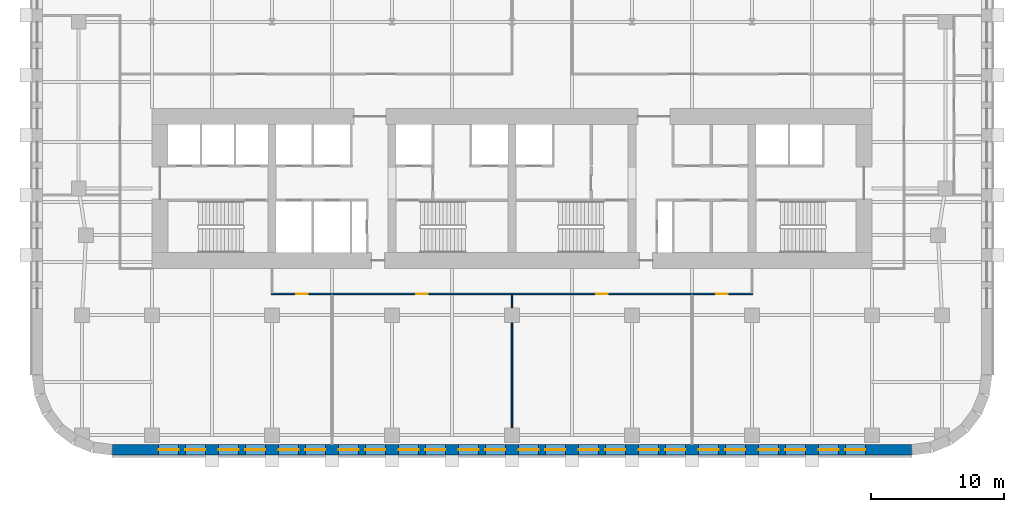
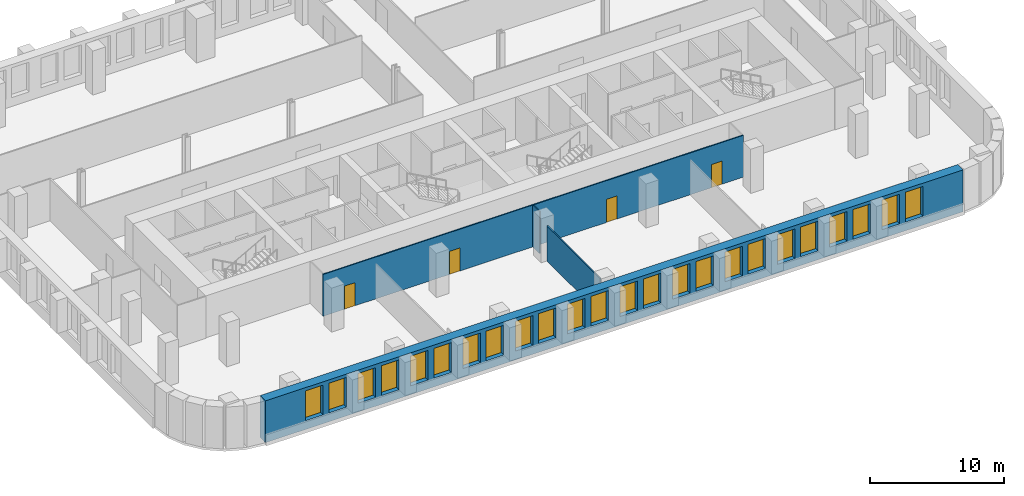
# One storey, part 5 of 11: 24 windows, 4 doors, 4 walls, 28 openings.
"""IFC4 building model written with IfcOpenShell, lengths in metres."""

from ifc_helpers import new_model, si_unit, direction, frame, frame_2d, origin, place, context, subcontext, project, spatial, rectangle, extrude, material, layer, layer_set, type_object, element, fill, save


model = new_model("IFC4")

# Units and contexts
model_context = context("Model", 3, precision=1e-05, world=origin(), true_north=direction((0.0, 1.0)))
body_context = subcontext(model_context, "Body", "Model", "MODEL_VIEW")
ifc_project = project(units=[si_unit("LENGTHUNIT", "METRE"), si_unit("AREAUNIT", "SQUARE_METRE"), si_unit("VOLUMEUNIT", "CUBIC_METRE"), si_unit("PLANEANGLEUNIT", "RADIAN"), si_unit("MASSUNIT", "GRAM", prefix="KILO")], contexts=[model_context])

# Site, building, storey
site_placement = place(None, origin())
site = spatial("IfcSite", under=ifc_project, at=site_placement, CompositionType="ELEMENT")
building_placement = place(site_placement, origin())
building = spatial("IfcBuilding", under=site, at=building_placement, Name="Zellij Exchange Tower", CompositionType="ELEMENT")
storey_placement = place(building_placement, frame((0.0, 0.0, 80.5)))
storey = spatial("IfcBuildingStorey", under=building, at=storey_placement, Name="L16", CompositionType="ELEMENT", Elevation=80.5)

# Wall, openings, windows
ifc_material_1 = material(Name="Precast concrete C40/50", Category="concrete")
ifc_layer_1 = layer(ifc_material_1, 0.800048828125)
ifc_layer_set_1 = layer_set([ifc_layer_1], Name="Precast concrete C40/50")
wall_type_1 = type_object("IfcWallType", Name="ENV-EW1 Precast stone-piered wall 800", PredefinedType="SOLIDWALL", material=ifc_layer_set_1)
wall_1_placement = place(storey_placement, frame((-29.947509765625, -27.60009765625, 0.0), z_axis=(0.0, 0.0, 1.0), x_axis=(1.0, 0.0, 0.0)))
wall_1 = element("IfcWall", 1, at=wall_1_placement, inside=storey, type_object=wall_type_1, Name="fac.L16.00", PredefinedType="SOLIDWALL", context=body_context, shape_type="SweptSolid", body=[
    extrude(rectangle(XDim=59.89501953125, YDim=0.800048828125, at=frame_2d((29.947509765625, 0.0))), origin(), (0.0, 0.0, 1.0), 3.800048828125),
])
opening_1_placement = place(wall_1_placement, frame((3.447509765625, 0.0, 0.800048828125)))
opening_1 = element("IfcOpeningElement", 2, at=opening_1_placement, cuts=wall_1, Name="Opening FZ1.01", PredefinedType="OPENING", context=body_context, shape_type="SweptSolid", body=[
    extrude(rectangle(XDim=1.5, YDim=2.699951171875, at=frame_2d((0.75, 1.35009765625))), frame((0.0, 0.412109375, 0.0), z_axis=(0.0, -1.0, 0.0), x_axis=(1.0, 0.0, 0.0)), (0.0, 0.0, 1.0), 0.823974609375),
])
opening_2_placement = place(wall_1_placement, frame((5.447509765625, 0.0, 0.800048828125)))
opening_2 = element("IfcOpeningElement", 3, at=opening_2_placement, cuts=wall_1, Name="Opening FZ1.02", PredefinedType="OPENING", context=body_context, shape_type="SweptSolid", body=[
    extrude(rectangle(XDim=1.5, YDim=2.699951171875, at=frame_2d((0.75, 1.35009765625))), frame((0.0, 0.412109375, 0.0), z_axis=(0.0, -1.0, 0.0), x_axis=(1.0, 0.0, 0.0)), (0.0, 0.0, 1.0), 0.823974609375),
])
opening_3_placement = place(wall_1_placement, frame((7.947509765625, 0.0, 0.800048828125)))
opening_3 = element("IfcOpeningElement", 4, at=opening_3_placement, cuts=wall_1, Name="Opening FZ1.03", PredefinedType="OPENING", context=body_context, shape_type="SweptSolid", body=[
    extrude(rectangle(XDim=1.5, YDim=2.699951171875, at=frame_2d((0.75, 1.35009765625))), frame((0.0, 0.412109375, 0.0), z_axis=(0.0, -1.0, 0.0), x_axis=(1.0, 0.0, 0.0)), (0.0, 0.0, 1.0), 0.823974609375),
])
opening_4_placement = place(wall_1_placement, frame((9.947509765625, 0.0, 0.800048828125)))
opening_4 = element("IfcOpeningElement", 5, at=opening_4_placement, cuts=wall_1, Name="Opening FZ1.04", PredefinedType="OPENING", context=body_context, shape_type="SweptSolid", body=[
    extrude(rectangle(XDim=1.5, YDim=2.699951171875, at=frame_2d((0.75, 1.35009765625))), frame((0.0, 0.412109375, 0.0), z_axis=(0.0, -1.0, 0.0), x_axis=(1.0, 0.0, 0.0)), (0.0, 0.0, 1.0), 0.823974609375),
])
opening_5_placement = place(wall_1_placement, frame((12.447509765625, 0.0, 0.800048828125)))
opening_5 = element("IfcOpeningElement", 6, at=opening_5_placement, cuts=wall_1, Name="Opening FZ1.05", PredefinedType="OPENING", context=body_context, shape_type="SweptSolid", body=[
    extrude(rectangle(XDim=1.5, YDim=2.699951171875, at=frame_2d((0.75, 1.35009765625))), frame((0.0, 0.412109375, 0.0), z_axis=(0.0, -1.0, 0.0), x_axis=(1.0, 0.0, 0.0)), (0.0, 0.0, 1.0), 0.823974609375),
])
opening_6_placement = place(wall_1_placement, frame((14.447509765625, 0.0, 0.800048828125)))
opening_6 = element("IfcOpeningElement", 7, at=opening_6_placement, cuts=wall_1, Name="Opening FZ1.06", PredefinedType="OPENING", context=body_context, shape_type="SweptSolid", body=[
    extrude(rectangle(XDim=1.5, YDim=2.699951171875, at=frame_2d((0.75, 1.35009765625))), frame((0.0, 0.412109375, 0.0), z_axis=(0.0, -1.0, 0.0), x_axis=(1.0, 0.0, 0.0)), (0.0, 0.0, 1.0), 0.823974609375),
])
opening_7_placement = place(wall_1_placement, frame((16.947509765625, 0.0, 0.800048828125)))
opening_7 = element("IfcOpeningElement", 8, at=opening_7_placement, cuts=wall_1, Name="Opening FZ1.07", PredefinedType="OPENING", context=body_context, shape_type="SweptSolid", body=[
    extrude(rectangle(XDim=1.5, YDim=2.699951171875, at=frame_2d((0.75, 1.35009765625))), frame((0.0, 0.412109375, 0.0), z_axis=(0.0, -1.0, 0.0), x_axis=(1.0, 0.0, 0.0)), (0.0, 0.0, 1.0), 0.823974609375),
])
opening_8_placement = place(wall_1_placement, frame((18.947509765625, 0.0, 0.800048828125)))
opening_8 = element("IfcOpeningElement", 9, at=opening_8_placement, cuts=wall_1, Name="Opening FZ1.08", PredefinedType="OPENING", context=body_context, shape_type="SweptSolid", body=[
    extrude(rectangle(XDim=1.5, YDim=2.699951171875, at=frame_2d((0.75, 1.35009765625))), frame((0.0, 0.412109375, 0.0), z_axis=(0.0, -1.0, 0.0), x_axis=(1.0, 0.0, 0.0)), (0.0, 0.0, 1.0), 0.823974609375),
])
opening_9_placement = place(wall_1_placement, frame((21.447509765625, 0.0, 0.800048828125)))
opening_9 = element("IfcOpeningElement", 10, at=opening_9_placement, cuts=wall_1, Name="Opening FZ1.09", PredefinedType="OPENING", context=body_context, shape_type="SweptSolid", body=[
    extrude(rectangle(XDim=1.5, YDim=2.699951171875, at=frame_2d((0.75, 1.35009765625))), frame((0.0, 0.412109375, 0.0), z_axis=(0.0, -1.0, 0.0), x_axis=(1.0, 0.0, 0.0)), (0.0, 0.0, 1.0), 0.823974609375),
])
opening_10_placement = place(wall_1_placement, frame((23.447509765625, 0.0, 0.800048828125)))
opening_10 = element("IfcOpeningElement", 11, at=opening_10_placement, cuts=wall_1, Name="Opening FZ1.10", PredefinedType="OPENING", context=body_context, shape_type="SweptSolid", body=[
    extrude(rectangle(XDim=1.5, YDim=2.699951171875, at=frame_2d((0.75, 1.35009765625))), frame((0.0, 0.412109375, 0.0), z_axis=(0.0, -1.0, 0.0), x_axis=(1.0, 0.0, 0.0)), (0.0, 0.0, 1.0), 0.823974609375),
])
opening_11_placement = place(wall_1_placement, frame((25.947509765625, 0.0, 0.800048828125)))
opening_11 = element("IfcOpeningElement", 12, at=opening_11_placement, cuts=wall_1, Name="Opening FZ1.11", PredefinedType="OPENING", context=body_context, shape_type="SweptSolid", body=[
    extrude(rectangle(XDim=1.5, YDim=2.699951171875, at=frame_2d((0.75, 1.35009765625))), frame((0.0, 0.412109375, 0.0), z_axis=(0.0, -1.0, 0.0), x_axis=(1.0, 0.0, 0.0)), (0.0, 0.0, 1.0), 0.823974609375),
])
opening_12_placement = place(wall_1_placement, frame((27.947509765625, 0.0, 0.800048828125)))
opening_12 = element("IfcOpeningElement", 13, at=opening_12_placement, cuts=wall_1, Name="Opening FZ1.12", PredefinedType="OPENING", context=body_context, shape_type="SweptSolid", body=[
    extrude(rectangle(XDim=1.5, YDim=2.699951171875, at=frame_2d((0.75, 1.35009765625))), frame((0.0, 0.412109375, 0.0), z_axis=(0.0, -1.0, 0.0), x_axis=(1.0, 0.0, 0.0)), (0.0, 0.0, 1.0), 0.823974609375),
])
opening_13_placement = place(wall_1_placement, frame((30.447509765625, 0.0, 0.800048828125)))
opening_13 = element("IfcOpeningElement", 14, at=opening_13_placement, cuts=wall_1, Name="Opening FZ1.13", PredefinedType="OPENING", context=body_context, shape_type="SweptSolid", body=[
    extrude(rectangle(XDim=1.5, YDim=2.699951171875, at=frame_2d((0.75, 1.35009765625))), frame((0.0, 0.412109375, 0.0), z_axis=(0.0, -1.0, 0.0), x_axis=(1.0, 0.0, 0.0)), (0.0, 0.0, 1.0), 0.823974609375),
])
opening_14_placement = place(wall_1_placement, frame((32.447509765625, 0.0, 0.800048828125)))
opening_14 = element("IfcOpeningElement", 15, at=opening_14_placement, cuts=wall_1, Name="Opening FZ1.14", PredefinedType="OPENING", context=body_context, shape_type="SweptSolid", body=[
    extrude(rectangle(XDim=1.5, YDim=2.699951171875, at=frame_2d((0.75, 1.35009765625))), frame((0.0, 0.412109375, 0.0), z_axis=(0.0, -1.0, 0.0), x_axis=(1.0, 0.0, 0.0)), (0.0, 0.0, 1.0), 0.823974609375),
])
opening_15_placement = place(wall_1_placement, frame((34.947509765625, 0.0, 0.800048828125)))
opening_15 = element("IfcOpeningElement", 16, at=opening_15_placement, cuts=wall_1, Name="Opening FZ1.15", PredefinedType="OPENING", context=body_context, shape_type="SweptSolid", body=[
    extrude(rectangle(XDim=1.5, YDim=2.699951171875, at=frame_2d((0.75, 1.35009765625))), frame((0.0, 0.412109375, 0.0), z_axis=(0.0, -1.0, 0.0), x_axis=(1.0, 0.0, 0.0)), (0.0, 0.0, 1.0), 0.823974609375),
])
opening_16_placement = place(wall_1_placement, frame((36.947509765625, 0.0, 0.800048828125)))
opening_16 = element("IfcOpeningElement", 17, at=opening_16_placement, cuts=wall_1, Name="Opening FZ1.16", PredefinedType="OPENING", context=body_context, shape_type="SweptSolid", body=[
    extrude(rectangle(XDim=1.5, YDim=2.699951171875, at=frame_2d((0.75, 1.35009765625))), frame((0.0, 0.412109375, 0.0), z_axis=(0.0, -1.0, 0.0), x_axis=(1.0, 0.0, 0.0)), (0.0, 0.0, 1.0), 0.823974609375),
])
opening_17_placement = place(wall_1_placement, frame((39.447509765625, 0.0, 0.800048828125)))
opening_17 = element("IfcOpeningElement", 18, at=opening_17_placement, cuts=wall_1, Name="Opening FZ1.17", PredefinedType="OPENING", context=body_context, shape_type="SweptSolid", body=[
    extrude(rectangle(XDim=1.5, YDim=2.699951171875, at=frame_2d((0.75, 1.35009765625))), frame((0.0, 0.412109375, 0.0), z_axis=(0.0, -1.0, 0.0), x_axis=(1.0, 0.0, 0.0)), (0.0, 0.0, 1.0), 0.823974609375),
])
opening_18_placement = place(wall_1_placement, frame((41.447509765625, 0.0, 0.800048828125)))
opening_18 = element("IfcOpeningElement", 19, at=opening_18_placement, cuts=wall_1, Name="Opening FZ1.18", PredefinedType="OPENING", context=body_context, shape_type="SweptSolid", body=[
    extrude(rectangle(XDim=1.5, YDim=2.699951171875, at=frame_2d((0.75, 1.35009765625))), frame((0.0, 0.412109375, 0.0), z_axis=(0.0, -1.0, 0.0), x_axis=(1.0, 0.0, 0.0)), (0.0, 0.0, 1.0), 0.823974609375),
])
opening_19_placement = place(wall_1_placement, frame((43.947509765625, 0.0, 0.800048828125)))
opening_19 = element("IfcOpeningElement", 20, at=opening_19_placement, cuts=wall_1, Name="Opening FZ1.19", PredefinedType="OPENING", context=body_context, shape_type="SweptSolid", body=[
    extrude(rectangle(XDim=1.5, YDim=2.699951171875, at=frame_2d((0.75, 1.35009765625))), frame((0.0, 0.412109375, 0.0), z_axis=(0.0, -1.0, 0.0), x_axis=(1.0, 0.0, 0.0)), (0.0, 0.0, 1.0), 0.823974609375),
])
opening_20_placement = place(wall_1_placement, frame((45.947509765625, 0.0, 0.800048828125)))
opening_20 = element("IfcOpeningElement", 21, at=opening_20_placement, cuts=wall_1, Name="Opening FZ1.20", PredefinedType="OPENING", context=body_context, shape_type="SweptSolid", body=[
    extrude(rectangle(XDim=1.5, YDim=2.699951171875, at=frame_2d((0.75, 1.35009765625))), frame((0.0, 0.412109375, 0.0), z_axis=(0.0, -1.0, 0.0), x_axis=(1.0, 0.0, 0.0)), (0.0, 0.0, 1.0), 0.823974609375),
])
opening_21_placement = place(wall_1_placement, frame((48.447509765625, 0.0, 0.800048828125)))
opening_21 = element("IfcOpeningElement", 22, at=opening_21_placement, cuts=wall_1, Name="Opening FZ1.21", PredefinedType="OPENING", context=body_context, shape_type="SweptSolid", body=[
    extrude(rectangle(XDim=1.5, YDim=2.699951171875, at=frame_2d((0.75, 1.35009765625))), frame((0.0, 0.412109375, 0.0), z_axis=(0.0, -1.0, 0.0), x_axis=(1.0, 0.0, 0.0)), (0.0, 0.0, 1.0), 0.823974609375),
])
opening_22_placement = place(wall_1_placement, frame((50.447509765625, 0.0, 0.800048828125)))
opening_22 = element("IfcOpeningElement", 23, at=opening_22_placement, cuts=wall_1, Name="Opening FZ1.22", PredefinedType="OPENING", context=body_context, shape_type="SweptSolid", body=[
    extrude(rectangle(XDim=1.5, YDim=2.699951171875, at=frame_2d((0.75, 1.35009765625))), frame((0.0, 0.412109375, 0.0), z_axis=(0.0, -1.0, 0.0), x_axis=(1.0, 0.0, 0.0)), (0.0, 0.0, 1.0), 0.823974609375),
])
opening_23_placement = place(wall_1_placement, frame((52.947509765625, 0.0, 0.800048828125)))
opening_23 = element("IfcOpeningElement", 24, at=opening_23_placement, cuts=wall_1, Name="Opening FZ1.23", PredefinedType="OPENING", context=body_context, shape_type="SweptSolid", body=[
    extrude(rectangle(XDim=1.5, YDim=2.699951171875, at=frame_2d((0.75, 1.35009765625))), frame((0.0, 0.412109375, 0.0), z_axis=(0.0, -1.0, 0.0), x_axis=(1.0, 0.0, 0.0)), (0.0, 0.0, 1.0), 0.823974609375),
])
opening_24_placement = place(wall_1_placement, frame((54.947509765625, 0.0, 0.800048828125)))
opening_24 = element("IfcOpeningElement", 25, at=opening_24_placement, cuts=wall_1, Name="Opening FZ1.24", PredefinedType="OPENING", context=body_context, shape_type="SweptSolid", body=[
    extrude(rectangle(XDim=1.5, YDim=2.699951171875, at=frame_2d((0.75, 1.35009765625))), frame((0.0, 0.412109375, 0.0), z_axis=(0.0, -1.0, 0.0), x_axis=(1.0, 0.0, 0.0)), (0.0, 0.0, 1.0), 0.823974609375),
])
ifc_material_2 = material(Name="Aluminium frame with insulating glass", Category="aluminium")
window_type = type_object("IfcWindowType", Name="ENV-W6 Window 1500x2700", PartitioningType="SINGLE_PANEL", PredefinedType="WINDOW", material=ifc_material_2)
window_1_placement = place(opening_1_placement, origin())
window_1 = element("IfcWindow", 26, at=window_1_placement, inside=storey, type_object=window_type, Name="Window FZ1.01", OverallHeight=2.699951171875, OverallWidth=1.5, PartitioningType="SINGLE_PANEL", PredefinedType="WINDOW", context=body_context, shape_type="SweptSolid", body=[
    extrude(rectangle(XDim=1.5, YDim=2.699951171875, at=frame_2d((0.75, 1.35009765625))), frame((0.0, 0.030029296875, 0.0), z_axis=(0.0, -1.0, 0.0), x_axis=(1.0, 0.0, 0.0)), (0.0, 0.0, 1.0), 0.06005859375),
])
fill(opening_1, window_1)
window_2_placement = place(opening_2_placement, origin())
window_2 = element("IfcWindow", 27, at=window_2_placement, inside=storey, type_object=window_type, Name="Window FZ1.02", OverallHeight=2.699951171875, OverallWidth=1.5, PartitioningType="SINGLE_PANEL", PredefinedType="WINDOW", context=body_context, shape_type="SweptSolid", body=[
    extrude(rectangle(XDim=1.5, YDim=2.699951171875, at=frame_2d((0.75, 1.35009765625))), frame((0.0, 0.030029296875, 0.0), z_axis=(0.0, -1.0, 0.0), x_axis=(1.0, 0.0, 0.0)), (0.0, 0.0, 1.0), 0.06005859375),
])
fill(opening_2, window_2)
window_3_placement = place(opening_3_placement, origin())
window_3 = element("IfcWindow", 28, at=window_3_placement, inside=storey, type_object=window_type, Name="Window FZ1.03", OverallHeight=2.699951171875, OverallWidth=1.5, PartitioningType="SINGLE_PANEL", PredefinedType="WINDOW", context=body_context, shape_type="SweptSolid", body=[
    extrude(rectangle(XDim=1.5, YDim=2.699951171875, at=frame_2d((0.75, 1.35009765625))), frame((0.0, 0.030029296875, 0.0), z_axis=(0.0, -1.0, 0.0), x_axis=(1.0, 0.0, 0.0)), (0.0, 0.0, 1.0), 0.06005859375),
])
fill(opening_3, window_3)
window_4_placement = place(opening_4_placement, origin())
window_4 = element("IfcWindow", 29, at=window_4_placement, inside=storey, type_object=window_type, Name="Window FZ1.04", OverallHeight=2.699951171875, OverallWidth=1.5, PartitioningType="SINGLE_PANEL", PredefinedType="WINDOW", context=body_context, shape_type="SweptSolid", body=[
    extrude(rectangle(XDim=1.5, YDim=2.699951171875, at=frame_2d((0.75, 1.35009765625))), frame((0.0, 0.030029296875, 0.0), z_axis=(0.0, -1.0, 0.0), x_axis=(1.0, 0.0, 0.0)), (0.0, 0.0, 1.0), 0.06005859375),
])
fill(opening_4, window_4)
window_5_placement = place(opening_5_placement, origin())
window_5 = element("IfcWindow", 30, at=window_5_placement, inside=storey, type_object=window_type, Name="Window FZ1.05", OverallHeight=2.699951171875, OverallWidth=1.5, PartitioningType="SINGLE_PANEL", PredefinedType="WINDOW", context=body_context, shape_type="SweptSolid", body=[
    extrude(rectangle(XDim=1.5, YDim=2.699951171875, at=frame_2d((0.75, 1.35009765625))), frame((0.0, 0.030029296875, 0.0), z_axis=(0.0, -1.0, 0.0), x_axis=(1.0, 0.0, 0.0)), (0.0, 0.0, 1.0), 0.06005859375),
])
fill(opening_5, window_5)
window_6_placement = place(opening_6_placement, origin())
window_6 = element("IfcWindow", 31, at=window_6_placement, inside=storey, type_object=window_type, Name="Window FZ1.06", OverallHeight=2.699951171875, OverallWidth=1.5, PartitioningType="SINGLE_PANEL", PredefinedType="WINDOW", context=body_context, shape_type="SweptSolid", body=[
    extrude(rectangle(XDim=1.5, YDim=2.699951171875, at=frame_2d((0.75, 1.35009765625))), frame((0.0, 0.030029296875, 0.0), z_axis=(0.0, -1.0, 0.0), x_axis=(1.0, 0.0, 0.0)), (0.0, 0.0, 1.0), 0.06005859375),
])
fill(opening_6, window_6)
window_7_placement = place(opening_7_placement, origin())
window_7 = element("IfcWindow", 32, at=window_7_placement, inside=storey, type_object=window_type, Name="Window FZ1.07", OverallHeight=2.699951171875, OverallWidth=1.5, PartitioningType="SINGLE_PANEL", PredefinedType="WINDOW", context=body_context, shape_type="SweptSolid", body=[
    extrude(rectangle(XDim=1.5, YDim=2.699951171875, at=frame_2d((0.75, 1.35009765625))), frame((0.0, 0.030029296875, 0.0), z_axis=(0.0, -1.0, 0.0), x_axis=(1.0, 0.0, 0.0)), (0.0, 0.0, 1.0), 0.06005859375),
])
fill(opening_7, window_7)
window_8_placement = place(opening_8_placement, origin())
window_8 = element("IfcWindow", 33, at=window_8_placement, inside=storey, type_object=window_type, Name="Window FZ1.08", OverallHeight=2.699951171875, OverallWidth=1.5, PartitioningType="SINGLE_PANEL", PredefinedType="WINDOW", context=body_context, shape_type="SweptSolid", body=[
    extrude(rectangle(XDim=1.5, YDim=2.699951171875, at=frame_2d((0.75, 1.35009765625))), frame((0.0, 0.030029296875, 0.0), z_axis=(0.0, -1.0, 0.0), x_axis=(1.0, 0.0, 0.0)), (0.0, 0.0, 1.0), 0.06005859375),
])
fill(opening_8, window_8)
window_9_placement = place(opening_9_placement, origin())
window_9 = element("IfcWindow", 34, at=window_9_placement, inside=storey, type_object=window_type, Name="Window FZ1.09", OverallHeight=2.699951171875, OverallWidth=1.5, PartitioningType="SINGLE_PANEL", PredefinedType="WINDOW", context=body_context, shape_type="SweptSolid", body=[
    extrude(rectangle(XDim=1.5, YDim=2.699951171875, at=frame_2d((0.75, 1.35009765625))), frame((0.0, 0.030029296875, 0.0), z_axis=(0.0, -1.0, 0.0), x_axis=(1.0, 0.0, 0.0)), (0.0, 0.0, 1.0), 0.06005859375),
])
fill(opening_9, window_9)
window_10_placement = place(opening_10_placement, origin())
window_10 = element("IfcWindow", 35, at=window_10_placement, inside=storey, type_object=window_type, Name="Window FZ1.10", OverallHeight=2.699951171875, OverallWidth=1.5, PartitioningType="SINGLE_PANEL", PredefinedType="WINDOW", context=body_context, shape_type="SweptSolid", body=[
    extrude(rectangle(XDim=1.5, YDim=2.699951171875, at=frame_2d((0.75, 1.35009765625))), frame((0.0, 0.030029296875, 0.0), z_axis=(0.0, -1.0, 0.0), x_axis=(1.0, 0.0, 0.0)), (0.0, 0.0, 1.0), 0.06005859375),
])
fill(opening_10, window_10)
window_11_placement = place(opening_11_placement, origin())
window_11 = element("IfcWindow", 36, at=window_11_placement, inside=storey, type_object=window_type, Name="Window FZ1.11", OverallHeight=2.699951171875, OverallWidth=1.5, PartitioningType="SINGLE_PANEL", PredefinedType="WINDOW", context=body_context, shape_type="SweptSolid", body=[
    extrude(rectangle(XDim=1.5, YDim=2.699951171875, at=frame_2d((0.75, 1.35009765625))), frame((0.0, 0.030029296875, 0.0), z_axis=(0.0, -1.0, 0.0), x_axis=(1.0, 0.0, 0.0)), (0.0, 0.0, 1.0), 0.06005859375),
])
fill(opening_11, window_11)
window_12_placement = place(opening_12_placement, origin())
window_12 = element("IfcWindow", 37, at=window_12_placement, inside=storey, type_object=window_type, Name="Window FZ1.12", OverallHeight=2.699951171875, OverallWidth=1.5, PartitioningType="SINGLE_PANEL", PredefinedType="WINDOW", context=body_context, shape_type="SweptSolid", body=[
    extrude(rectangle(XDim=1.5, YDim=2.699951171875, at=frame_2d((0.75, 1.35009765625))), frame((0.0, 0.030029296875, 0.0), z_axis=(0.0, -1.0, 0.0), x_axis=(1.0, 0.0, 0.0)), (0.0, 0.0, 1.0), 0.06005859375),
])
fill(opening_12, window_12)
window_13_placement = place(opening_13_placement, origin())
window_13 = element("IfcWindow", 38, at=window_13_placement, inside=storey, type_object=window_type, Name="Window FZ1.13", OverallHeight=2.699951171875, OverallWidth=1.5, PartitioningType="SINGLE_PANEL", PredefinedType="WINDOW", context=body_context, shape_type="SweptSolid", body=[
    extrude(rectangle(XDim=1.5, YDim=2.699951171875, at=frame_2d((0.75, 1.35009765625))), frame((0.0, 0.030029296875, 0.0), z_axis=(0.0, -1.0, 0.0), x_axis=(1.0, 0.0, 0.0)), (0.0, 0.0, 1.0), 0.06005859375),
])
fill(opening_13, window_13)
window_14_placement = place(opening_14_placement, origin())
window_14 = element("IfcWindow", 39, at=window_14_placement, inside=storey, type_object=window_type, Name="Window FZ1.14", OverallHeight=2.699951171875, OverallWidth=1.5, PartitioningType="SINGLE_PANEL", PredefinedType="WINDOW", context=body_context, shape_type="SweptSolid", body=[
    extrude(rectangle(XDim=1.5, YDim=2.699951171875, at=frame_2d((0.75, 1.35009765625))), frame((0.0, 0.030029296875, 0.0), z_axis=(0.0, -1.0, 0.0), x_axis=(1.0, 0.0, 0.0)), (0.0, 0.0, 1.0), 0.06005859375),
])
fill(opening_14, window_14)
window_15_placement = place(opening_15_placement, origin())
window_15 = element("IfcWindow", 40, at=window_15_placement, inside=storey, type_object=window_type, Name="Window FZ1.15", OverallHeight=2.699951171875, OverallWidth=1.5, PartitioningType="SINGLE_PANEL", PredefinedType="WINDOW", context=body_context, shape_type="SweptSolid", body=[
    extrude(rectangle(XDim=1.5, YDim=2.699951171875, at=frame_2d((0.75, 1.35009765625))), frame((0.0, 0.030029296875, 0.0), z_axis=(0.0, -1.0, 0.0), x_axis=(1.0, 0.0, 0.0)), (0.0, 0.0, 1.0), 0.06005859375),
])
fill(opening_15, window_15)
window_16_placement = place(opening_16_placement, origin())
window_16 = element("IfcWindow", 41, at=window_16_placement, inside=storey, type_object=window_type, Name="Window FZ1.16", OverallHeight=2.699951171875, OverallWidth=1.5, PartitioningType="SINGLE_PANEL", PredefinedType="WINDOW", context=body_context, shape_type="SweptSolid", body=[
    extrude(rectangle(XDim=1.5, YDim=2.699951171875, at=frame_2d((0.75, 1.35009765625))), frame((0.0, 0.030029296875, 0.0), z_axis=(0.0, -1.0, 0.0), x_axis=(1.0, 0.0, 0.0)), (0.0, 0.0, 1.0), 0.06005859375),
])
fill(opening_16, window_16)
window_17_placement = place(opening_17_placement, origin())
window_17 = element("IfcWindow", 42, at=window_17_placement, inside=storey, type_object=window_type, Name="Window FZ1.17", OverallHeight=2.699951171875, OverallWidth=1.5, PartitioningType="SINGLE_PANEL", PredefinedType="WINDOW", context=body_context, shape_type="SweptSolid", body=[
    extrude(rectangle(XDim=1.5, YDim=2.699951171875, at=frame_2d((0.75, 1.35009765625))), frame((0.0, 0.030029296875, 0.0), z_axis=(0.0, -1.0, 0.0), x_axis=(1.0, 0.0, 0.0)), (0.0, 0.0, 1.0), 0.06005859375),
])
fill(opening_17, window_17)
window_18_placement = place(opening_18_placement, origin())
window_18 = element("IfcWindow", 43, at=window_18_placement, inside=storey, type_object=window_type, Name="Window FZ1.18", OverallHeight=2.699951171875, OverallWidth=1.5, PartitioningType="SINGLE_PANEL", PredefinedType="WINDOW", context=body_context, shape_type="SweptSolid", body=[
    extrude(rectangle(XDim=1.5, YDim=2.699951171875, at=frame_2d((0.75, 1.35009765625))), frame((0.0, 0.030029296875, 0.0), z_axis=(0.0, -1.0, 0.0), x_axis=(1.0, 0.0, 0.0)), (0.0, 0.0, 1.0), 0.06005859375),
])
fill(opening_18, window_18)
window_19_placement = place(opening_19_placement, origin())
window_19 = element("IfcWindow", 44, at=window_19_placement, inside=storey, type_object=window_type, Name="Window FZ1.19", OverallHeight=2.699951171875, OverallWidth=1.5, PartitioningType="SINGLE_PANEL", PredefinedType="WINDOW", context=body_context, shape_type="SweptSolid", body=[
    extrude(rectangle(XDim=1.5, YDim=2.699951171875, at=frame_2d((0.75, 1.35009765625))), frame((0.0, 0.030029296875, 0.0), z_axis=(0.0, -1.0, 0.0), x_axis=(1.0, 0.0, 0.0)), (0.0, 0.0, 1.0), 0.06005859375),
])
fill(opening_19, window_19)
window_20_placement = place(opening_20_placement, origin())
window_20 = element("IfcWindow", 45, at=window_20_placement, inside=storey, type_object=window_type, Name="Window FZ1.20", OverallHeight=2.699951171875, OverallWidth=1.5, PartitioningType="SINGLE_PANEL", PredefinedType="WINDOW", context=body_context, shape_type="SweptSolid", body=[
    extrude(rectangle(XDim=1.5, YDim=2.699951171875, at=frame_2d((0.75, 1.35009765625))), frame((0.0, 0.030029296875, 0.0), z_axis=(0.0, -1.0, 0.0), x_axis=(1.0, 0.0, 0.0)), (0.0, 0.0, 1.0), 0.06005859375),
])
fill(opening_20, window_20)
window_21_placement = place(opening_21_placement, origin())
window_21 = element("IfcWindow", 46, at=window_21_placement, inside=storey, type_object=window_type, Name="Window FZ1.21", OverallHeight=2.699951171875, OverallWidth=1.5, PartitioningType="SINGLE_PANEL", PredefinedType="WINDOW", context=body_context, shape_type="SweptSolid", body=[
    extrude(rectangle(XDim=1.5, YDim=2.699951171875, at=frame_2d((0.75, 1.35009765625))), frame((0.0, 0.030029296875, 0.0), z_axis=(0.0, -1.0, 0.0), x_axis=(1.0, 0.0, 0.0)), (0.0, 0.0, 1.0), 0.06005859375),
])
fill(opening_21, window_21)
window_22_placement = place(opening_22_placement, origin())
window_22 = element("IfcWindow", 47, at=window_22_placement, inside=storey, type_object=window_type, Name="Window FZ1.22", OverallHeight=2.699951171875, OverallWidth=1.5, PartitioningType="SINGLE_PANEL", PredefinedType="WINDOW", context=body_context, shape_type="SweptSolid", body=[
    extrude(rectangle(XDim=1.5, YDim=2.699951171875, at=frame_2d((0.75, 1.35009765625))), frame((0.0, 0.030029296875, 0.0), z_axis=(0.0, -1.0, 0.0), x_axis=(1.0, 0.0, 0.0)), (0.0, 0.0, 1.0), 0.06005859375),
])
fill(opening_22, window_22)
window_23_placement = place(opening_23_placement, origin())
window_23 = element("IfcWindow", 48, at=window_23_placement, inside=storey, type_object=window_type, Name="Window FZ1.23", OverallHeight=2.699951171875, OverallWidth=1.5, PartitioningType="SINGLE_PANEL", PredefinedType="WINDOW", context=body_context, shape_type="SweptSolid", body=[
    extrude(rectangle(XDim=1.5, YDim=2.699951171875, at=frame_2d((0.75, 1.35009765625))), frame((0.0, 0.030029296875, 0.0), z_axis=(0.0, -1.0, 0.0), x_axis=(1.0, 0.0, 0.0)), (0.0, 0.0, 1.0), 0.06005859375),
])
fill(opening_23, window_23)
window_24_placement = place(opening_24_placement, origin())
window_24 = element("IfcWindow", 49, at=window_24_placement, inside=storey, type_object=window_type, Name="Window FZ1.24", OverallHeight=2.699951171875, OverallWidth=1.5, PartitioningType="SINGLE_PANEL", PredefinedType="WINDOW", context=body_context, shape_type="SweptSolid", body=[
    extrude(rectangle(XDim=1.5, YDim=2.699951171875, at=frame_2d((0.75, 1.35009765625))), frame((0.0, 0.030029296875, 0.0), z_axis=(0.0, -1.0, 0.0), x_axis=(1.0, 0.0, 0.0)), (0.0, 0.0, 1.0), 0.06005859375),
])
fill(opening_24, window_24)

# Walls
ifc_material_3 = material(Name="Gypsum board partition on steel studs", Category="steel")
ifc_layer_2 = layer(ifc_material_3, 0.10009765625)
ifc_layer_set_2 = layer_set([ifc_layer_2], Name="Gypsum board partition on steel studs")
wall_type_2 = type_object("IfcWallType", Name="FIT-PARTITION-100", PredefinedType="PARTITIONING", material=ifc_layer_set_2)
wall_2_placement = place(storey_placement, frame((0.0, -25.949951171875, 0.0), z_axis=(0.0, 0.0, 1.0), x_axis=(0.0, 1.0, 0.0)))
element("IfcWall", 50, at=wall_2_placement, inside=storey, type_object=wall_type_2, Name="FIT-PARTITION-100 003", PredefinedType="PARTITIONING", context=body_context, shape_type="SweptSolid", body=[
    extrude(rectangle(XDim=7.89990234375, YDim=0.10009765625, at=frame_2d((3.949951171875, 0.0))), origin(), (0.0, 0.0, 1.0), 3.18798828125),
])
wall_3_placement = place(storey_placement, frame((0.0, -16.949951171875, 0.0), z_axis=(0.0, 0.0, 1.0), x_axis=(0.0, 1.0, 0.0)))
element("IfcWall", 51, at=wall_3_placement, inside=storey, type_object=wall_type_2, Name="FIT-PARTITION-100 004", PredefinedType="PARTITIONING", context=body_context, shape_type="SweptSolid", body=[
    extrude(rectangle(XDim=1.0, YDim=0.10009765625, at=frame_2d((0.5, 0.0))), origin(), (0.0, 0.0, 1.0), 3.800048828125),
])

# Wall, openings, doors
wall_4_placement = place(storey_placement, frame((-18.050048828125, -15.89990234375, 0.0), z_axis=(0.0, 0.0, 1.0), x_axis=(1.0, 0.0, 0.0)))
wall_4 = element("IfcWall", 52, at=wall_4_placement, inside=storey, type_object=wall_type_2, Name="FIT-PARTITION-100 007", PredefinedType="PARTITIONING", context=body_context, shape_type="SweptSolid", body=[
    extrude(rectangle(XDim=36.10009765625, YDim=0.10009765625, at=frame_2d((18.050048828125, 0.0))), origin(), (0.0, 0.0, 1.0), 3.800048828125),
])
opening_25_placement = place(wall_4_placement, frame((1.85009765625, 0.0, 0.0)))
opening_25 = element("IfcOpeningElement", 53, at=opening_25_placement, cuts=wall_4, Name="Opening TC.01", PredefinedType="OPENING", context=body_context, shape_type="SweptSolid", body=[
    extrude(rectangle(XDim=0.89990234375, YDim=2.10009765625, at=frame_2d((0.449951171875, 1.050048828125))), frame((0.0, 0.06201171875, 0.0), z_axis=(0.0, -1.0, 0.0), x_axis=(1.0, 0.0, 0.0)), (0.0, 0.0, 1.0), 0.1240234375),
])
opening_26_placement = place(wall_4_placement, frame((10.85009765625, 0.0, 0.0)))
opening_26 = element("IfcOpeningElement", 54, at=opening_26_placement, cuts=wall_4, Name="Opening TC.02", PredefinedType="OPENING", context=body_context, shape_type="SweptSolid", body=[
    extrude(rectangle(XDim=0.89990234375, YDim=2.10009765625, at=frame_2d((0.449951171875, 1.050048828125))), frame((0.0, 0.06201171875, 0.0), z_axis=(0.0, -1.0, 0.0), x_axis=(1.0, 0.0, 0.0)), (0.0, 0.0, 1.0), 0.1240234375),
])
opening_27_placement = place(wall_4_placement, frame((24.35009765625, 0.0, 0.0)))
opening_27 = element("IfcOpeningElement", 55, at=opening_27_placement, cuts=wall_4, Name="Opening TC.03", PredefinedType="OPENING", context=body_context, shape_type="SweptSolid", body=[
    extrude(rectangle(XDim=0.89990234375, YDim=2.10009765625, at=frame_2d((0.449951171875, 1.050048828125))), frame((0.0, 0.06201171875, 0.0), z_axis=(0.0, -1.0, 0.0), x_axis=(1.0, 0.0, 0.0)), (0.0, 0.0, 1.0), 0.1240234375),
])
opening_28_placement = place(wall_4_placement, frame((33.35009765625, 0.0, 0.0)))
opening_28 = element("IfcOpeningElement", 56, at=opening_28_placement, cuts=wall_4, Name="Opening TC.04", PredefinedType="OPENING", context=body_context, shape_type="SweptSolid", body=[
    extrude(rectangle(XDim=0.89990234375, YDim=2.10009765625, at=frame_2d((0.449951171875, 1.050048828125))), frame((0.0, 0.06201171875, 0.0), z_axis=(0.0, -1.0, 0.0), x_axis=(1.0, 0.0, 0.0)), (0.0, 0.0, 1.0), 0.1240234375),
])
ifc_material_4 = material(Name="Timber door set", Category="wood")
door_type = type_object("IfcDoorType", Name="FIT-D1-ROOM-900X2100", OperationType="SINGLE_SWING_LEFT", PredefinedType="DOOR", material=ifc_material_4)
door_1_placement = place(opening_25_placement, origin())
door_1 = element("IfcDoor", 57, at=door_1_placement, inside=storey, type_object=door_type, Name="Door TC.01", OperationType="SINGLE_SWING_LEFT", OverallHeight=2.10009765625, OverallWidth=0.89990234375, PredefinedType="DOOR", context=body_context, shape_type="SweptSolid", body=[
    extrude(rectangle(XDim=0.89990234375, YDim=2.10009765625, at=frame_2d((0.449951171875, 1.050048828125))), frame((0.0, 0.02490234375, 0.0), z_axis=(0.0, -1.0, 0.0), x_axis=(1.0, 0.0, 0.0)), (0.0, 0.0, 1.0), 0.050048828125),
])
fill(opening_25, door_1)
door_2_placement = place(opening_26_placement, origin())
door_2 = element("IfcDoor", 58, at=door_2_placement, inside=storey, type_object=door_type, Name="Door TC.02", OperationType="SINGLE_SWING_LEFT", OverallHeight=2.10009765625, OverallWidth=0.89990234375, PredefinedType="DOOR", context=body_context, shape_type="SweptSolid", body=[
    extrude(rectangle(XDim=0.89990234375, YDim=2.10009765625, at=frame_2d((0.449951171875, 1.050048828125))), frame((0.0, 0.02490234375, 0.0), z_axis=(0.0, -1.0, 0.0), x_axis=(1.0, 0.0, 0.0)), (0.0, 0.0, 1.0), 0.050048828125),
])
fill(opening_26, door_2)
door_3_placement = place(opening_27_placement, origin())
door_3 = element("IfcDoor", 59, at=door_3_placement, inside=storey, type_object=door_type, Name="Door TC.03", OperationType="SINGLE_SWING_LEFT", OverallHeight=2.10009765625, OverallWidth=0.89990234375, PredefinedType="DOOR", context=body_context, shape_type="SweptSolid", body=[
    extrude(rectangle(XDim=0.89990234375, YDim=2.10009765625, at=frame_2d((0.449951171875, 1.050048828125))), frame((0.0, 0.02490234375, 0.0), z_axis=(0.0, -1.0, 0.0), x_axis=(1.0, 0.0, 0.0)), (0.0, 0.0, 1.0), 0.050048828125),
])
fill(opening_27, door_3)
door_4_placement = place(opening_28_placement, origin())
door_4 = element("IfcDoor", 60, at=door_4_placement, inside=storey, type_object=door_type, Name="Door TC.04", OperationType="SINGLE_SWING_LEFT", OverallHeight=2.10009765625, OverallWidth=0.89990234375, PredefinedType="DOOR", context=body_context, shape_type="SweptSolid", body=[
    extrude(rectangle(XDim=0.89990234375, YDim=2.10009765625, at=frame_2d((0.449951171875, 1.050048828125))), frame((0.0, 0.02490234375, 0.0), z_axis=(0.0, -1.0, 0.0), x_axis=(1.0, 0.0, 0.0)), (0.0, 0.0, 1.0), 0.050048828125),
])
fill(opening_28, door_4)

save(model, "model.ifc")
